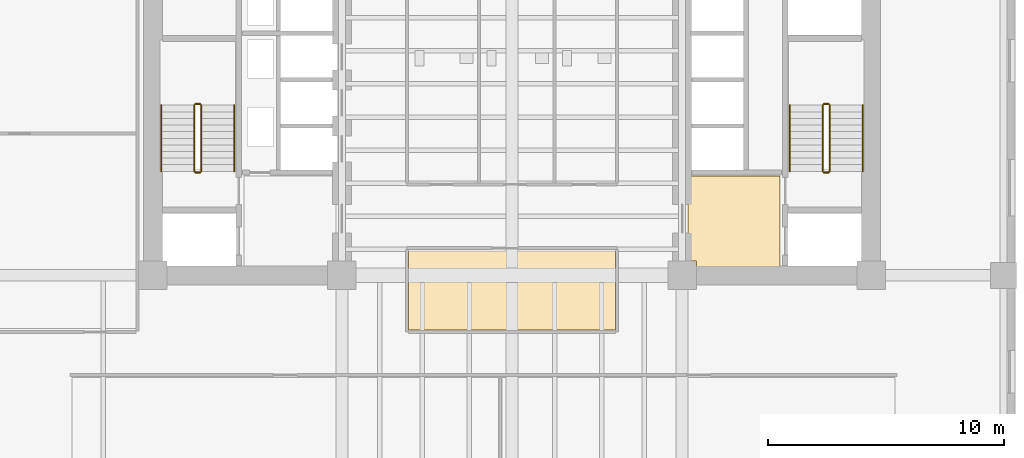
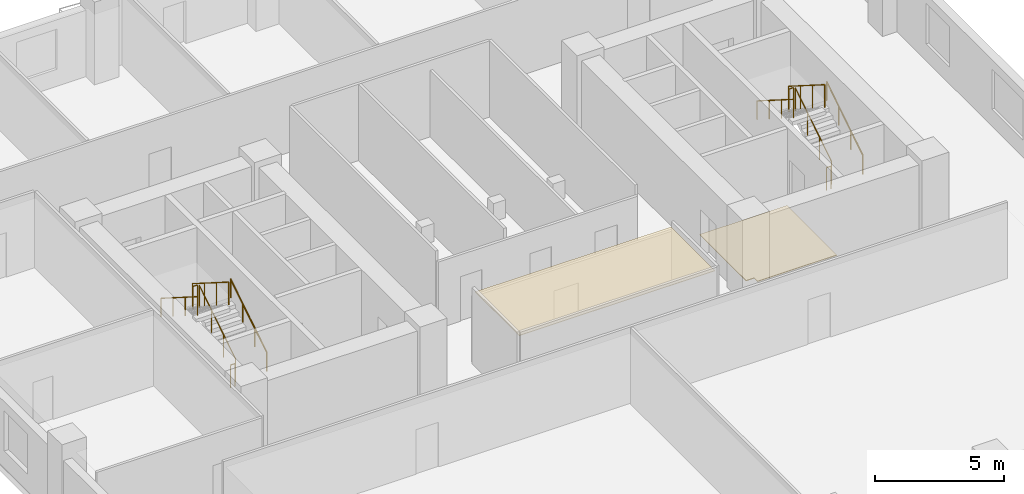
# One storey, part 7 of 9: 12 railings, 2 coverings.
"""IFC4 building model written with IfcOpenShell, lengths in metres."""

from ifc_helpers import new_model, si_unit, direction, frame, origin, origin_2d, place, context, subcontext, project, spatial, polyline, circle, outline, extrude, material, layer, layer_set, type_object, element, save


model = new_model("IFC4")

# Units and contexts
model_context = context("Model", 3, precision=1e-05, world=origin(), true_north=direction((0.0, 1.0)))
body_context = subcontext(model_context, "Body", "Model", "MODEL_VIEW")
ifc_project = project(units=[si_unit("LENGTHUNIT", "METRE"), si_unit("AREAUNIT", "SQUARE_METRE"), si_unit("VOLUMEUNIT", "CUBIC_METRE"), si_unit("PLANEANGLEUNIT", "RADIAN"), si_unit("MASSUNIT", "GRAM", prefix="KILO")], contexts=[model_context])

# Site, building, storey
site_placement = place(None, origin())
site = spatial("IfcSite", under=ifc_project, at=site_placement, CompositionType="ELEMENT")
building_placement = place(site_placement, origin())
building = spatial("IfcBuilding", under=site, at=building_placement, Name="Kranthara Brick Stack", CompositionType="ELEMENT")
storey_placement = place(building_placement, frame((0.0, 0.0, 28.199951171875)))
storey = spatial("IfcBuildingStorey", under=building, at=storey_placement, Name="L06", CompositionType="ELEMENT", Elevation=28.199951171875)

# Coverings
ifc_material_1 = material(Name="Perforated mineral-fibre acoustic ceiling tile", Category="other")
ifc_layer_1 = layer(ifc_material_1, 0.02490234375)
ifc_layer_set_1 = layer_set([ifc_layer_1], Name="Perforated mineral-fibre acoustic ceiling tile")
covering_type_1 = type_object("IfcCoveringType", Name="COV-CEIL-ACOUSTIC", PredefinedType="CEILING", material=ifc_layer_set_1)
covering_1_placement = place(storey_placement, frame((0.0, 0.0, 3.330078125)))
element("IfcCovering", 1, at=covering_1_placement, inside=storey, type_object=covering_type_1, Name="L06 L06 Central Executive Briefing Room Acoustic Ceiling", PredefinedType="CEILING", context=body_context, shape_type="SweptSolid", body=[
    extrude(outline(polyline([(32.3701171875, 18.47998046875), (32.3701171875, 21.8798828125), (23.6298828125, 21.8798828125), (23.6298828125, 18.47998046875), (32.3701171875, 18.47998046875)])), origin(), (0.0, 0.0, 1.0), 0.02490234375),
])
ifc_material_2 = material(Name="Honed terrazzo and porcelain floor finish", Category="stone")
ifc_layer_2 = layer(ifc_material_2, 0.030029296875)
ifc_layer_set_2 = layer_set([ifc_layer_2], Name="Honed terrazzo and porcelain floor finish")
covering_type_2 = type_object("IfcCoveringType", Name="COV-FLOR-STONE", PredefinedType="FLOORING", material=ifc_layer_set_2)
covering_2_placement = place(storey_placement, origin())
element("IfcCovering", 2, at=covering_2_placement, inside=storey, type_object=covering_type_2, Name="L06 Lift Lobby Stone Flooring", PredefinedType="FLOORING", context=body_context, shape_type="SweptSolid", body=[
    extrude(outline(polyline([(35.449951171875, 25.0), (39.35009765625, 25.0), (39.35009765625, 21.14990234375), (35.81005859375, 21.14990234375), (35.81005859375, 21.409912109375), (35.449951171875, 21.409912109375), (35.449951171875, 25.0)])), origin(), (0.0, 0.0, 1.0), 0.030029296875),
])

# Railings
ifc_material_3 = material(Name="Painted galvanized steel stair guardrail", Category="steel")
railing_type_1 = type_object("IfcRailingType", Name="RL-STAIR-GUARD-1100", PredefinedType="GUARDRAIL", material=ifc_material_3)
railing_1_placement = place(storey_placement, frame((14.85009765625, 25.199951171875, 0.17724609375)))
element("IfcRailing", 3, at=railing_1_placement, inside=storey, type_object=railing_type_1, Name="L06 ST01 stair guard 1", PredefinedType="GUARDRAIL", context=body_context, shape_type="SweptSolid", body=[
    extrude(circle(Radius=0.02392578125, at=origin_2d()), frame((0.0, 0.0, 1.076171875), z_axis=(0.0, 0.844908973607, 0.534910110503), x_axis=(-1.0, 0.0, 0.0)), (0.0, 0.0, 1.0), 3.31396484375),
    extrude(circle(Radius=0.02099609375, at=origin_2d()), origin(), (0.0, 0.0, 1.0), 1.052001953125),
    extrude(circle(Radius=0.02099609375, at=origin_2d()), frame((0.0, 0.933349609375, 0.5908203125)), (0.0, 0.0, 1.0), 1.052001953125),
    extrude(circle(Radius=0.02099609375, at=origin_2d()), frame((0.0, 1.86669921875, 1.181884765625)), (0.0, 0.0, 1.0), 1.052001953125),
    extrude(circle(Radius=0.02099609375, at=origin_2d()), frame((0.0, 2.800048828125, 1.772705078125)), (0.0, 0.0, 1.0), 1.052001953125),
])
railing_2_placement = place(storey_placement, frame((14.800048828125, 28.050048828125, 1.949951171875)))
element("IfcRailing", 4, at=railing_2_placement, inside=storey, type_object=railing_type_1, Name="L06 ST01 stair guard 2", PredefinedType="GUARDRAIL", context=body_context, shape_type="SweptSolid", body=[
    extrude(circle(Radius=0.02392578125, at=origin_2d()), frame((0.0, 0.0, 1.076171875), z_axis=(-1.0, 0.0, 0.0), x_axis=(0.0, -1.0, 0.0)), (0.0, 0.0, 1.0), 0.199951171875),
    extrude(circle(Radius=0.02099609375, at=origin_2d()), origin(), (0.0, 0.0, 1.0), 1.052001953125),
    extrude(circle(Radius=0.02099609375, at=origin_2d()), frame((-0.199951171875, 0.0, 0.0)), (0.0, 0.0, 1.0), 1.052001953125),
])
railing_3_placement = place(storey_placement, frame((14.550048828125, 28.0, 2.12744140625)))
element("IfcRailing", 5, at=railing_3_placement, inside=storey, type_object=railing_type_1, Name="L06 ST01 stair guard 3", PredefinedType="GUARDRAIL", context=body_context, shape_type="SweptSolid", body=[
    extrude(circle(Radius=0.02392578125, at=origin_2d()), frame((0.0, 0.0, 1.076171875), z_axis=(0.0, -0.844908973607, 0.534910110503), x_axis=(1.0, 0.0, 0.0)), (0.0, 0.0, 1.0), 3.31396484375),
    extrude(circle(Radius=0.02099609375, at=origin_2d()), origin(), (0.0, 0.0, 1.0), 1.052001953125),
    extrude(circle(Radius=0.02099609375, at=origin_2d()), frame((0.0, -0.933349609375, 0.5908203125)), (0.0, 0.0, 1.0), 1.052001953125),
    extrude(circle(Radius=0.02099609375, at=origin_2d()), frame((0.0, -1.86669921875, 1.181884765625)), (0.0, 0.0, 1.0), 1.052001953125),
    extrude(circle(Radius=0.02099609375, at=origin_2d()), frame((0.0, -2.800048828125, 1.772705078125)), (0.0, 0.0, 1.0), 1.052001953125),
])
railing_4_placement = place(storey_placement, frame((14.800048828125, 25.14990234375, 0.0)))
element("IfcRailing", 6, at=railing_4_placement, inside=storey, type_object=railing_type_1, Name="L06 ST01 stair guard 4", PredefinedType="GUARDRAIL", context=body_context, shape_type="SweptSolid", body=[
    extrude(circle(Radius=0.02392578125, at=origin_2d()), frame((0.0, 0.0, 1.076171875), z_axis=(-1.0, 0.0, 0.0), x_axis=(0.0, -1.0, 0.0)), (0.0, 0.0, 1.0), 0.199951171875),
    extrude(circle(Radius=0.02099609375, at=origin_2d()), origin(), (0.0, 0.0, 1.0), 1.052001953125),
    extrude(circle(Radius=0.02099609375, at=origin_2d()), frame((-0.199951171875, 0.0, 0.0)), (0.0, 0.0, 1.0), 1.052001953125),
])
railing_5_placement = place(storey_placement, frame((41.449951171875, 25.199951171875, 0.17724609375)))
element("IfcRailing", 7, at=railing_5_placement, inside=storey, type_object=railing_type_1, Name="L06 ST02 stair guard 1", PredefinedType="GUARDRAIL", context=body_context, shape_type="SweptSolid", body=[
    extrude(circle(Radius=0.02392578125, at=origin_2d()), frame((0.0, 0.0, 1.076171875), z_axis=(0.0, 0.844908973607, 0.534910110503), x_axis=(-1.0, 0.0, 0.0)), (0.0, 0.0, 1.0), 3.31396484375),
    extrude(circle(Radius=0.02099609375, at=origin_2d()), origin(), (0.0, 0.0, 1.0), 1.052001953125),
    extrude(circle(Radius=0.02099609375, at=origin_2d()), frame((0.0, 0.933349609375, 0.5908203125)), (0.0, 0.0, 1.0), 1.052001953125),
    extrude(circle(Radius=0.02099609375, at=origin_2d()), frame((0.0, 1.86669921875, 1.181884765625)), (0.0, 0.0, 1.0), 1.052001953125),
    extrude(circle(Radius=0.02099609375, at=origin_2d()), frame((0.0, 2.800048828125, 1.772705078125)), (0.0, 0.0, 1.0), 1.052001953125),
])
railing_6_placement = place(storey_placement, frame((41.39990234375, 28.050048828125, 1.949951171875)))
element("IfcRailing", 8, at=railing_6_placement, inside=storey, type_object=railing_type_1, Name="L06 ST02 stair guard 2", PredefinedType="GUARDRAIL", context=body_context, shape_type="SweptSolid", body=[
    extrude(circle(Radius=0.02392578125, at=origin_2d()), frame((0.0, 0.0, 1.076171875), z_axis=(-1.0, 0.0, 0.0), x_axis=(0.0, -1.0, 0.0)), (0.0, 0.0, 1.0), 0.199951171875),
    extrude(circle(Radius=0.02099609375, at=origin_2d()), origin(), (0.0, 0.0, 1.0), 1.052001953125),
    extrude(circle(Radius=0.02099609375, at=origin_2d()), frame((-0.199951171875, 0.0, 0.0)), (0.0, 0.0, 1.0), 1.052001953125),
])
railing_7_placement = place(storey_placement, frame((41.14990234375, 28.0, 2.12744140625)))
element("IfcRailing", 9, at=railing_7_placement, inside=storey, type_object=railing_type_1, Name="L06 ST02 stair guard 3", PredefinedType="GUARDRAIL", context=body_context, shape_type="SweptSolid", body=[
    extrude(circle(Radius=0.02392578125, at=origin_2d()), frame((0.0, 0.0, 1.076171875), z_axis=(0.0, -0.844908973607, 0.534910110503), x_axis=(1.0, 0.0, 0.0)), (0.0, 0.0, 1.0), 3.31396484375),
    extrude(circle(Radius=0.02099609375, at=origin_2d()), origin(), (0.0, 0.0, 1.0), 1.052001953125),
    extrude(circle(Radius=0.02099609375, at=origin_2d()), frame((0.0, -0.933349609375, 0.5908203125)), (0.0, 0.0, 1.0), 1.052001953125),
    extrude(circle(Radius=0.02099609375, at=origin_2d()), frame((0.0, -1.86669921875, 1.181884765625)), (0.0, 0.0, 1.0), 1.052001953125),
    extrude(circle(Radius=0.02099609375, at=origin_2d()), frame((0.0, -2.800048828125, 1.772705078125)), (0.0, 0.0, 1.0), 1.052001953125),
])
railing_8_placement = place(storey_placement, frame((41.39990234375, 25.14990234375, 0.0)))
element("IfcRailing", 10, at=railing_8_placement, inside=storey, type_object=railing_type_1, Name="L06 ST02 stair guard 4", PredefinedType="GUARDRAIL", context=body_context, shape_type="SweptSolid", body=[
    extrude(circle(Radius=0.02392578125, at=origin_2d()), frame((0.0, 0.0, 1.076171875), z_axis=(-1.0, 0.0, 0.0), x_axis=(0.0, -1.0, 0.0)), (0.0, 0.0, 1.0), 0.199951171875),
    extrude(circle(Radius=0.02099609375, at=origin_2d()), origin(), (0.0, 0.0, 1.0), 1.052001953125),
    extrude(circle(Radius=0.02099609375, at=origin_2d()), frame((-0.199951171875, 0.0, 0.0)), (0.0, 0.0, 1.0), 1.052001953125),
])
ifc_material_4 = material(Name="Brushed stainless steel tubular handrail", Category="steel")
railing_type_2 = type_object("IfcRailingType", Name="RL-STAIR-HAND-900", PredefinedType="HANDRAIL", material=ifc_material_4)
railing_9_placement = place(storey_placement, frame((16.25, 25.199951171875, 0.17724609375)))
element("IfcRailing", 11, at=railing_9_placement, inside=storey, type_object=railing_type_2, Name="L06 ST01 stair handrail 1", PredefinedType="HANDRAIL", context=body_context, shape_type="SweptSolid", body=[
    extrude(circle(Radius=0.02392578125, at=origin_2d()), frame((0.0, 0.0, 0.8759765625), z_axis=(0.0, 0.844908973607, 0.534910110503), x_axis=(-1.0, 0.0, 0.0)), (0.0, 0.0, 1.0), 3.31396484375),
    extrude(circle(Radius=0.02099609375, at=origin_2d()), origin(), (0.0, 0.0, 1.0), 0.851806640625),
    extrude(circle(Radius=0.02099609375, at=origin_2d()), frame((0.0, 0.933349609375, 0.5908203125)), (0.0, 0.0, 1.0), 0.851806640625),
    extrude(circle(Radius=0.02099609375, at=origin_2d()), frame((0.0, 1.86669921875, 1.181884765625)), (0.0, 0.0, 1.0), 0.851806640625),
    extrude(circle(Radius=0.02099609375, at=origin_2d()), frame((0.0, 2.800048828125, 1.772705078125)), (0.0, 0.0, 1.0), 0.851806640625),
])
railing_10_placement = place(storey_placement, frame((13.14990234375, 28.0, 2.12744140625)))
element("IfcRailing", 12, at=railing_10_placement, inside=storey, type_object=railing_type_2, Name="L06 ST01 stair handrail 2", PredefinedType="HANDRAIL", context=body_context, shape_type="SweptSolid", body=[
    extrude(circle(Radius=0.02392578125, at=origin_2d()), frame((0.0, 0.0, 0.8759765625), z_axis=(0.0, -0.844908973607, 0.534910110503), x_axis=(1.0, 0.0, 0.0)), (0.0, 0.0, 1.0), 3.31396484375),
    extrude(circle(Radius=0.02099609375, at=origin_2d()), origin(), (0.0, 0.0, 1.0), 0.851806640625),
    extrude(circle(Radius=0.02099609375, at=origin_2d()), frame((0.0, -0.933349609375, 0.5908203125)), (0.0, 0.0, 1.0), 0.851806640625),
    extrude(circle(Radius=0.02099609375, at=origin_2d()), frame((0.0, -1.86669921875, 1.181884765625)), (0.0, 0.0, 1.0), 0.851806640625),
    extrude(circle(Radius=0.02099609375, at=origin_2d()), frame((0.0, -2.800048828125, 1.772705078125)), (0.0, 0.0, 1.0), 0.851806640625),
])
railing_11_placement = place(storey_placement, frame((42.85009765625, 25.199951171875, 0.17724609375)))
element("IfcRailing", 13, at=railing_11_placement, inside=storey, type_object=railing_type_2, Name="L06 ST02 stair handrail 1", PredefinedType="HANDRAIL", context=body_context, shape_type="SweptSolid", body=[
    extrude(circle(Radius=0.02392578125, at=origin_2d()), frame((0.0, 0.0, 0.8759765625), z_axis=(0.0, 0.844908973607, 0.534910110503), x_axis=(-1.0, 0.0, 0.0)), (0.0, 0.0, 1.0), 3.31396484375),
    extrude(circle(Radius=0.02099609375, at=origin_2d()), origin(), (0.0, 0.0, 1.0), 0.851806640625),
    extrude(circle(Radius=0.02099609375, at=origin_2d()), frame((0.0, 0.933349609375, 0.5908203125)), (0.0, 0.0, 1.0), 0.851806640625),
    extrude(circle(Radius=0.02099609375, at=origin_2d()), frame((0.0, 1.86669921875, 1.181884765625)), (0.0, 0.0, 1.0), 0.851806640625),
    extrude(circle(Radius=0.02099609375, at=origin_2d()), frame((0.0, 2.800048828125, 1.772705078125)), (0.0, 0.0, 1.0), 0.851806640625),
])
railing_12_placement = place(storey_placement, frame((39.75, 28.0, 2.12744140625)))
element("IfcRailing", 14, at=railing_12_placement, inside=storey, type_object=railing_type_2, Name="L06 ST02 stair handrail 2", PredefinedType="HANDRAIL", context=body_context, shape_type="SweptSolid", body=[
    extrude(circle(Radius=0.02392578125, at=origin_2d()), frame((0.0, 0.0, 0.8759765625), z_axis=(0.0, -0.844908973607, 0.534910110503), x_axis=(1.0, 0.0, 0.0)), (0.0, 0.0, 1.0), 3.31396484375),
    extrude(circle(Radius=0.02099609375, at=origin_2d()), origin(), (0.0, 0.0, 1.0), 0.851806640625),
    extrude(circle(Radius=0.02099609375, at=origin_2d()), frame((0.0, -0.933349609375, 0.5908203125)), (0.0, 0.0, 1.0), 0.851806640625),
    extrude(circle(Radius=0.02099609375, at=origin_2d()), frame((0.0, -1.86669921875, 1.181884765625)), (0.0, 0.0, 1.0), 0.851806640625),
    extrude(circle(Radius=0.02099609375, at=origin_2d()), frame((0.0, -2.800048828125, 1.772705078125)), (0.0, 0.0, 1.0), 0.851806640625),
])

save(model, "model.ifc")
